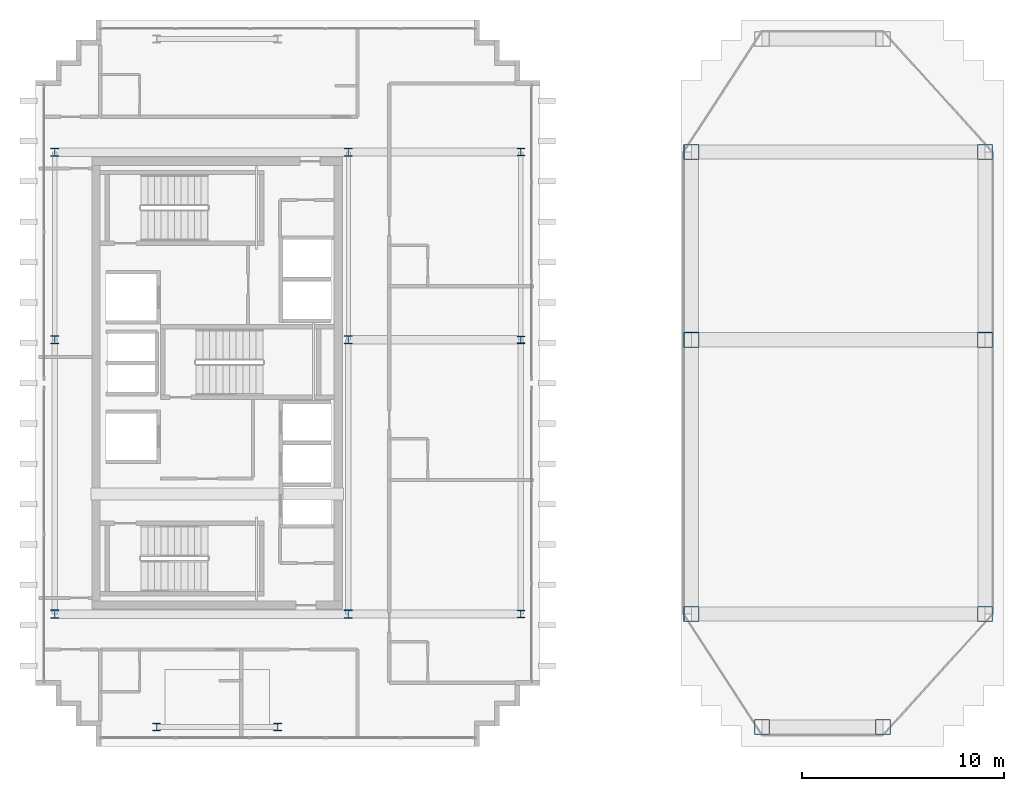
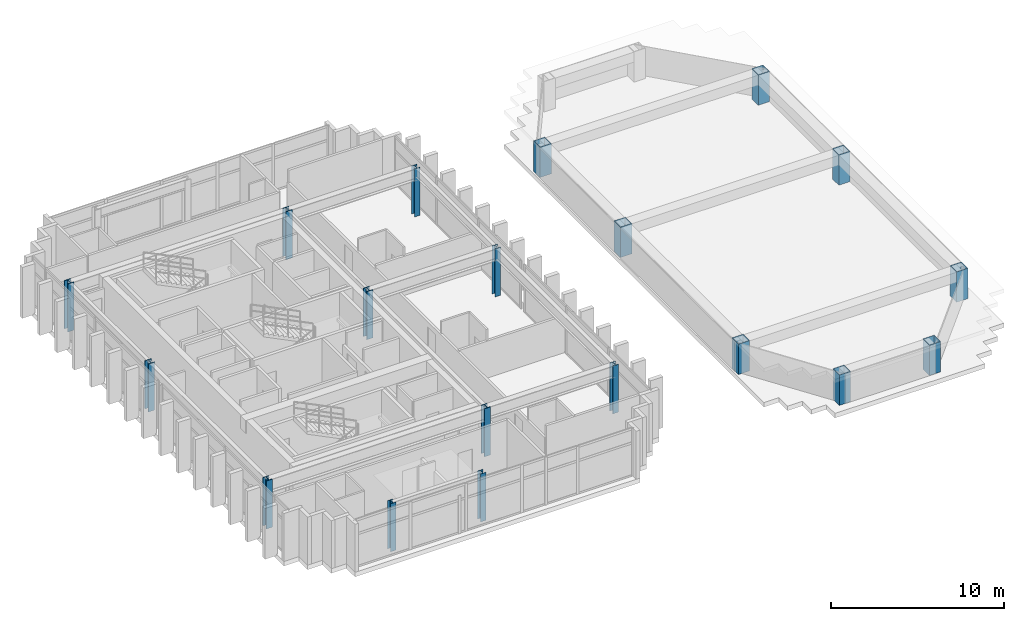
# One storey, part 1 of 17: 19 columns.
"""IFC4 building model written with IfcOpenShell, lengths in metres."""

from ifc_helpers import new_model, si_unit, direction, frame, origin, origin_2d, place, context, subcontext, project, spatial, hollow_rectangle, i_section, extrude, source, transform, mapped, material, material_profile, profile_set, type_object, element, save


model = new_model("IFC4")

# Units and contexts
model_context = context("Model", 3, precision=1e-05, world=origin(), true_north=direction((0.0, 1.0)))
body_context = subcontext(model_context, "Body", "Model", "MODEL_VIEW")
ifc_project = project(units=[si_unit("LENGTHUNIT", "METRE"), si_unit("AREAUNIT", "SQUARE_METRE"), si_unit("VOLUMEUNIT", "CUBIC_METRE"), si_unit("PLANEANGLEUNIT", "RADIAN"), si_unit("MASSUNIT", "GRAM", prefix="KILO")], contexts=[model_context])

# Site, building, storey
site_placement = place(None, origin())
site = spatial("IfcSite", under=ifc_project, at=site_placement, CompositionType="ELEMENT")
building_placement = place(site_placement, origin())
building = spatial("IfcBuilding", under=site, at=building_placement, Name="Ocotamira Hotel", CompositionType="ELEMENT")
storey_placement = place(building_placement, frame((0.0, 0.0, 272.39990234375)))
storey = spatial("IfcBuildingStorey", under=building, at=storey_placement, Name="L69", CompositionType="ELEMENT", Elevation=272.39990234375)

# Columns
ifc_material_1 = material(Name="Steel ASTM A913 Grade 65", Category="steel")
ifc_material_profile_1 = material_profile(ifc_material_1, i_section(OverallWidth=0.412109375, OverallDepth=0.43505859375, WebThickness=0.035888671875, FlangeThickness=0.057373046875, FilletRadius=0.02490234375, at=origin_2d()), Name="W14X311")
ifc_profile_set_1 = profile_set([ifc_material_profile_1], Name="Steel ASTM A913 Grade 65")
column_type_1 = type_object("IfcColumnType", Name="COL-W14X311", PredefinedType="COLUMN", material=ifc_profile_set_1)
shared_shape_1 = source(origin(), body_context, "Body", "SweptSolid", [
    extrude(i_section(OverallWidth=0.412109375, OverallDepth=0.43505859375, WebThickness=0.035888671875, FlangeThickness=0.057373046875, FilletRadius=0.02490234375, at=origin_2d()), origin(), (0.0, 0.0, 1.0), 3.380126953125),
])
for number, where, z_axis, x_axis, name in (
    (1, (8.949951171875, 14.550048828125, 0.0), (0.0, 0.0, 1.0), (1.0, 0.0, 0.0), "L69 Column TW8_14"),
    (2, (23.5, 14.550048828125, 0.0), (0.0, 0.0, 1.0), (1.0, 0.0, 0.0), "L69 Column TW23_14"),
    (3, (8.949951171875, 28.14990234375, 0.0), (0.0, 0.0, 1.0), (1.0, 0.0, 0.0), "L69 Column TW8_28"),
    (4, (23.5, 28.14990234375, 0.0), (0.0, 0.0, 1.0), (1.0, 0.0, 0.0), "L69 Column TW23_28"),
    (5, (8.949951171875, 37.449951171875, 0.0), (0.0, 0.0, 1.0), (1.0, 0.0, 0.0), "L69 Column TW8_37"),
    (6, (23.5, 37.449951171875, 0.0), (0.0, 0.0, 1.0), (1.0, 0.0, 0.0), "L69 Column TW23_37"),
):
    element("IfcColumn", number, at=place(storey_placement, frame(where, z_axis=z_axis, x_axis=x_axis)), inside=storey, type_object=column_type_1, Name=name, PredefinedType="COLUMN", context=body_context, shape_type="MappedRepresentation", body=[
        mapped(shared_shape_1, transform((0.0, 0.0, 0.0), scale=1.0)),
    ])
ifc_material_2 = material(Name="Steel ASTM A992 Grade 50", Category="steel")
ifc_material_profile_2 = material_profile(ifc_material_2, i_section(OverallWidth=0.3740234375, OverallDepth=0.373046875, WebThickness=0.016357421875, FlangeThickness=0.026123046875, FilletRadius=0.02490234375, at=origin_2d()), Name="W14X132")
ifc_profile_set_2 = profile_set([ifc_material_profile_2], Name="Steel ASTM A992 Grade 50")
column_type_2 = type_object("IfcColumnType", Name="COL-W14X132", PredefinedType="COLUMN", material=ifc_profile_set_2)
shared_shape_2 = source(origin(), body_context, "Body", "SweptSolid", [
    extrude(i_section(OverallWidth=0.3740234375, OverallDepth=0.373046875, WebThickness=0.016357421875, FlangeThickness=0.026123046875, FilletRadius=0.02490234375, at=origin_2d()), origin(), (0.0, 0.0, 1.0), 3.380126953125),
])
for number, where, z_axis, x_axis, name in (
    (7, (14.0, 8.949951171875, 0.0), (0.0, 0.0, 1.0), (1.0, 0.0, 0.0), "L69 Column NSP1_14"),
    (8, (20.0, 8.949951171875, 0.0), (0.0, 0.0, 1.0), (1.0, 0.0, 0.0), "L69 Column NSP1_20"),
    (9, (32.050048828125, 14.550048828125, 0.0), (0.0, 0.0, 1.0), (1.0, 0.0, 0.0), "L69 Column WPE32_14"),
    (10, (32.050048828125, 28.14990234375, 0.0), (0.0, 0.0, 1.0), (1.0, 0.0, 0.0), "L69 Column WPE32_28"),
    (11, (32.050048828125, 37.449951171875, 0.0), (0.0, 0.0, 1.0), (1.0, 0.0, 0.0), "L69 Column WPE32_37"),
):
    element("IfcColumn", number, at=place(storey_placement, frame(where, z_axis=z_axis, x_axis=x_axis)), inside=storey, type_object=column_type_2, Name=name, PredefinedType="COLUMN", context=body_context, shape_type="MappedRepresentation", body=[
        mapped(shared_shape_2, transform((0.0, 0.0, 0.0), scale=1.0)),
    ])
ifc_material_3 = material(Name="Pale-metal coated steel ASTM A913 Grade 65", Category="steel")
ifc_material_profile_3 = material_profile(ifc_material_3, hollow_rectangle(XDim=0.75, YDim=0.75, WallThickness=0.028076171875, at=origin_2d()), Name="BOX750X750X28")
ifc_profile_set_3 = profile_set([ifc_material_profile_3], Name="Pale-metal coated steel ASTM A913 Grade 65")
column_type_3 = type_object("IfcColumnType", Name="COL-CROWN-750", PredefinedType="COLUMN", material=ifc_profile_set_3)
shared_shape_3 = source(origin(), body_context, "Body", "SweptSolid", [
    extrude(hollow_rectangle(XDim=0.75, YDim=0.75, WallThickness=0.028076171875, at=origin_2d()), origin(), (0.0, 0.0, 1.0), 2.14013671875),
])
for number, where, z_axis, x_axis, name in (
    (12, (40.5, 14.550048828125, 0.0), (0.0, 0.0, 1.0), (1.0, 0.0, 0.0), "EAST CROWN POST 01"),
    (13, (40.5, 28.14990234375, 0.0), (0.0, 0.0, 1.0), (1.0, 0.0, 0.0), "EAST CROWN POST 02"),
    (14, (40.5, 37.449951171875, 0.0), (0.0, 0.0, 1.0), (1.0, 0.0, 0.0), "EAST CROWN POST 03"),
    (15, (55.050048828125, 14.550048828125, 0.0), (0.0, 0.0, 1.0), (1.0, 0.0, 0.0), "EAST CROWN POST 04"),
    (16, (55.050048828125, 28.14990234375, 0.0), (0.0, 0.0, 1.0), (1.0, 0.0, 0.0), "EAST CROWN POST 05"),
    (17, (55.050048828125, 37.449951171875, 0.0), (0.0, 0.0, 1.0), (1.0, 0.0, 0.0), "EAST CROWN POST 06"),
    (18, (44.0, 8.949951171875, 0.0), (0.0, 0.0, 1.0), (1.0, 0.0, 0.0), "EAST CROWN POST 07"),
    (19, (50.0, 8.949951171875, 0.0), (0.0, 0.0, 1.0), (1.0, 0.0, 0.0), "EAST CROWN POST 08"),
):
    element("IfcColumn", number, at=place(storey_placement, frame(where, z_axis=z_axis, x_axis=x_axis)), inside=storey, type_object=column_type_3, Name=name, PredefinedType="COLUMN", context=body_context, shape_type="MappedRepresentation", body=[
        mapped(shared_shape_3, transform((0.0, 0.0, 0.0), scale=1.0)),
    ])

save(model, "model.ifc")
